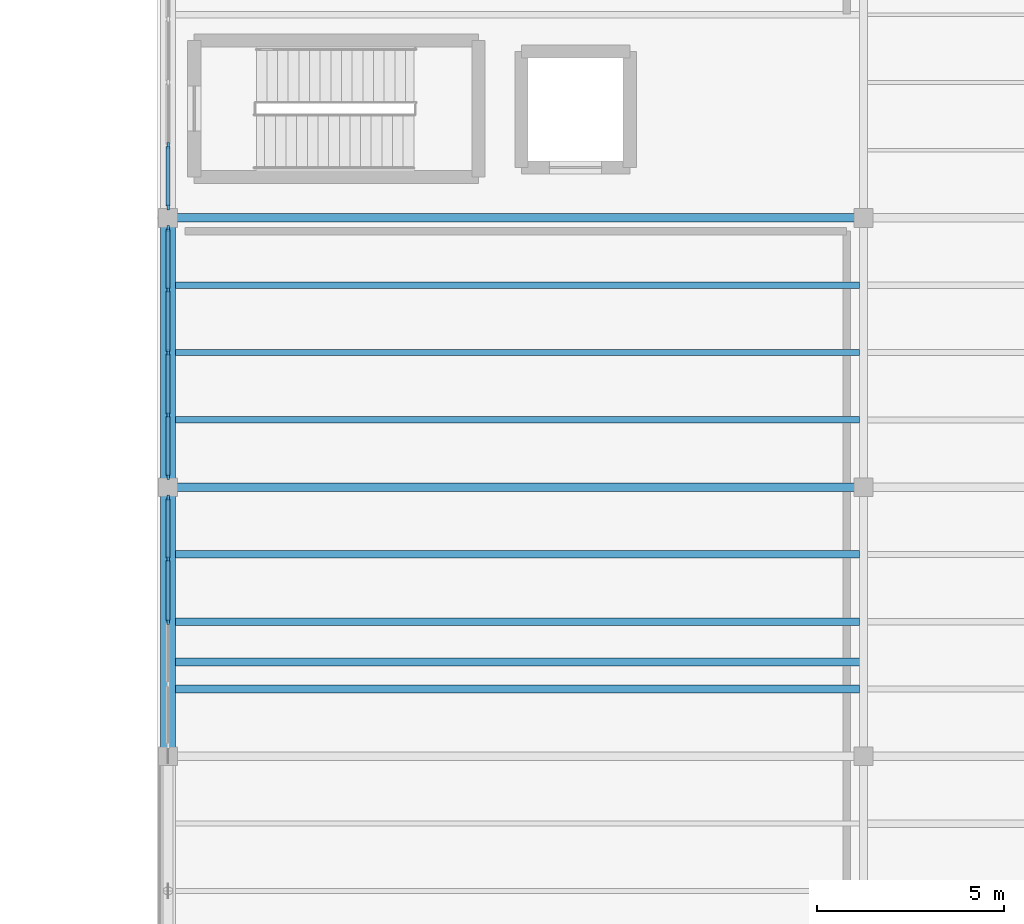
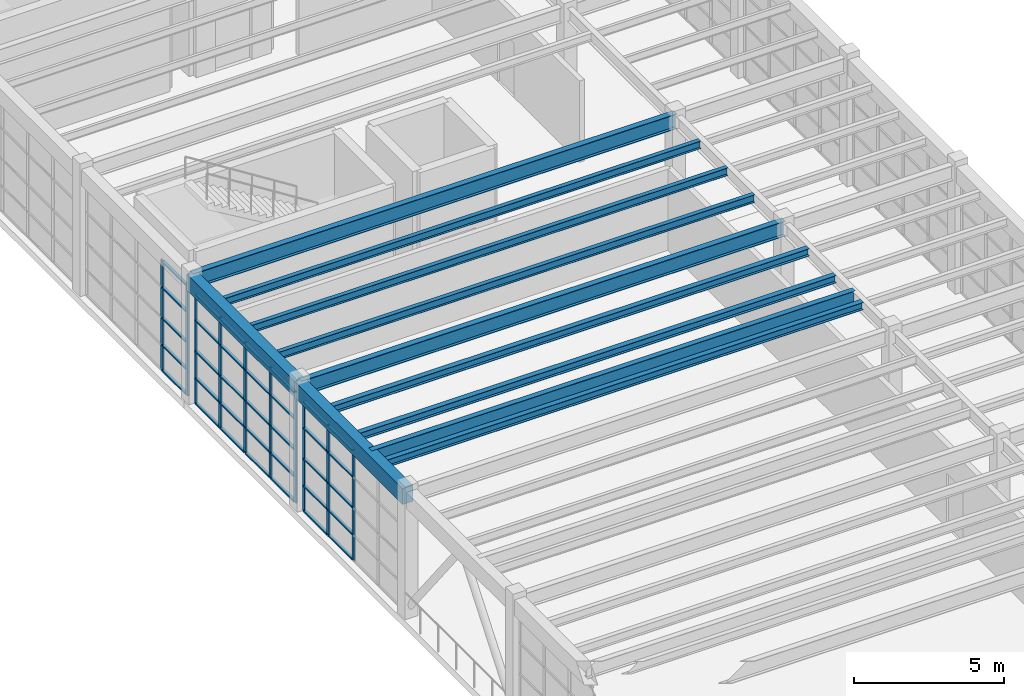
# One storey, part 54 of 103: 45 members, 11 beams, 3 elements without a shape of their own.
"""IFC4 building model written with IfcOpenShell, lengths in metres."""

from ifc_helpers import new_model, si_unit, direction, frame, origin, origin_2d, place, context, subcontext, project, spatial, rectangle, i_section, extrude, material, layer, layer_set, material_profile, profile_set, type_object, element, aggregate, save


model = new_model("IFC4")

# Units and contexts
model_context = context("Model", 3, precision=1e-05, world=origin(), true_north=direction((0.0, 1.0)))
body_context = subcontext(model_context, "Body", "Model", "MODEL_VIEW")
ifc_project = project(units=[si_unit("LENGTHUNIT", "METRE"), si_unit("AREAUNIT", "SQUARE_METRE"), si_unit("VOLUMEUNIT", "CUBIC_METRE"), si_unit("PLANEANGLEUNIT", "RADIAN"), si_unit("MASSUNIT", "GRAM", prefix="KILO")], contexts=[model_context])

# Site, building, storey
site_placement = place(None, origin())
site = spatial("IfcSite", under=ifc_project, at=site_placement, CompositionType="ELEMENT")
building_placement = place(site_placement, origin())
building = spatial("IfcBuilding", under=site, at=building_placement, Name="Candilejo Ridge Gondola Terminal", CompositionType="ELEMENT")
storey_placement = place(building_placement, frame((0.0, 0.0, 9.0)))
storey = spatial("IfcBuildingStorey", under=building, at=storey_placement, Name="L02", CompositionType="ELEMENT", Elevation=9.0)

# Curtain wall, members
ifc_material_1 = material(Name="Anodised aluminium AA 6063-T6", Category="aluminium")
ifc_layer_1 = layer(ifc_material_1, 0.169921875)
ifc_layer_set_1 = layer_set([ifc_layer_1], Name="ARC-CW-TOWER-3000-670X449")
curtain_wall_type_1 = type_object("IfcCurtainWallType", Name="ARC-CW-TOWER-3000-670X449", PredefinedType="NOTDEFINED", material=ifc_layer_set_1)
curtain_wall_1_placement = place(storey_placement, origin())
curtain_wall_1 = element("IfcCurtainWall", 1, at=curtain_wall_1_placement, inside=storey, type_object=curtain_wall_type_1, Name="Curtain wall V5 L02-182", PredefinedType="NOTDEFINED")
ifc_material_2 = material(Name="Anodised aluminium AA 6063-T6", Category="aluminium")
ifc_material_profile_1 = material_profile(ifc_material_2, rectangle(XDim=0.06494140625, YDim=0.14990234375, at=origin_2d()))
ifc_profile_set_1 = profile_set([ifc_material_profile_1], Name="Anodised aluminium AA 6063-T6")
member_type_1 = type_object("IfcMemberType", Name="ARC-CW-MULLION-150", PredefinedType="MULLION", material=ifc_profile_set_1)
member_1_placement = place(storey_placement, frame((150.0, 88.25, 0.0), z_axis=(0.0, 0.0, 1.0), x_axis=(-1.0, 0.0, 0.0)))
member_1 = element("IfcMember", 2, at=member_1_placement, type_object=member_type_1, Name="CW-67X44 mullion 3", PredefinedType="MULLION", context=body_context, shape_type="SweptSolid", body=[
    extrude(rectangle(XDim=0.06494140625, YDim=0.14990234375, at=origin_2d()), origin(), (0.0, 0.0, 1.0), 4.489990234375),
])
member_2_placement = place(storey_placement, frame((150.0, 89.925048828125, 0.0), z_axis=(0.0, 0.0, 1.0), x_axis=(-1.0, 0.0, 0.0)))
member_2 = element("IfcMember", 3, at=member_2_placement, type_object=member_type_1, Name="CW-67X44 mullion 4", PredefinedType="MULLION", context=body_context, shape_type="SweptSolid", body=[
    extrude(rectangle(XDim=0.06494140625, YDim=0.14990234375, at=origin_2d()), origin(), (0.0, 0.0, 1.0), 4.489990234375),
])
member_3_placement = place(storey_placement, frame((150.0, 91.5673828125, 0.0), z_axis=(0.0, 0.0, 1.0), x_axis=(-1.0, 0.0, 0.0)))
member_3 = element("IfcMember", 4, at=member_3_placement, type_object=member_type_1, Name="CW-67X44 mullion 5", PredefinedType="MULLION", context=body_context, shape_type="SweptSolid", body=[
    extrude(rectangle(XDim=0.06494140625, YDim=0.14990234375, at=origin_2d()), origin(), (0.0, 0.0, 1.0), 4.489990234375),
])

curtain_wall_2_placement = place(storey_placement, origin())
curtain_wall_2 = element("IfcCurtainWall", 5, at=curtain_wall_2_placement, inside=storey, type_object=curtain_wall_type_1, Name="Curtain wall V5 L02-184", PredefinedType="NOTDEFINED")
member_4_placement = place(storey_placement, frame((150.0, 92.132568359375, 0.0), z_axis=(0.0, 0.0, 1.0), x_axis=(-1.0, 0.0, 0.0)))
member_4 = element("IfcMember", 6, at=member_4_placement, type_object=member_type_1, Name="CW-67X44 mullion 1", PredefinedType="MULLION", context=body_context, shape_type="SweptSolid", body=[
    extrude(rectangle(XDim=0.06494140625, YDim=0.14990234375, at=origin_2d()), origin(), (0.0, 0.0, 1.0), 4.489990234375),
])
member_5_placement = place(storey_placement, frame((150.0, 93.77490234375, 0.0), z_axis=(0.0, 0.0, 1.0), x_axis=(-1.0, 0.0, 0.0)))
member_5 = element("IfcMember", 7, at=member_5_placement, type_object=member_type_1, Name="CW-67X44 mullion 2", PredefinedType="MULLION", context=body_context, shape_type="SweptSolid", body=[
    extrude(rectangle(XDim=0.06494140625, YDim=0.14990234375, at=origin_2d()), origin(), (0.0, 0.0, 1.0), 4.489990234375),
])
member_6_placement = place(storey_placement, frame((150.0, 95.449951171875, 0.0), z_axis=(0.0, 0.0, 1.0), x_axis=(-1.0, 0.0, 0.0)))
member_6 = element("IfcMember", 8, at=member_6_placement, type_object=member_type_1, Name="CW-67X44 mullion 3", PredefinedType="MULLION", context=body_context, shape_type="SweptSolid", body=[
    extrude(rectangle(XDim=0.06494140625, YDim=0.14990234375, at=origin_2d()), origin(), (0.0, 0.0, 1.0), 4.489990234375),
])
member_7_placement = place(storey_placement, frame((150.0, 97.125, 0.0), z_axis=(0.0, 0.0, 1.0), x_axis=(-1.0, 0.0, 0.0)))
member_7 = element("IfcMember", 9, at=member_7_placement, type_object=member_type_1, Name="CW-67X44 mullion 4", PredefinedType="MULLION", context=body_context, shape_type="SweptSolid", body=[
    extrude(rectangle(XDim=0.06494140625, YDim=0.14990234375, at=origin_2d()), origin(), (0.0, 0.0, 1.0), 4.489990234375),
])
member_8_placement = place(storey_placement, frame((150.0, 98.767578125, 0.0), z_axis=(0.0, 0.0, 1.0), x_axis=(-1.0, 0.0, 0.0)))
member_8 = element("IfcMember", 10, at=member_8_placement, type_object=member_type_1, Name="CW-67X44 mullion 5", PredefinedType="MULLION", context=body_context, shape_type="SweptSolid", body=[
    extrude(rectangle(XDim=0.06494140625, YDim=0.14990234375, at=origin_2d()), origin(), (0.0, 0.0, 1.0), 4.489990234375),
])

ifc_material_3 = material(Name="Anodised aluminium AA 6063-T6", Category="aluminium")
ifc_layer_2 = layer(ifc_material_3, 0.169921875)
ifc_layer_set_2 = layer_set([ifc_layer_2], Name="ARC-CW-TOWER-3000-675X449")
curtain_wall_type_2 = type_object("IfcCurtainWallType", Name="ARC-CW-TOWER-3000-675X449", PredefinedType="NOTDEFINED", material=ifc_layer_set_2)
curtain_wall_3_placement = place(storey_placement, origin())
curtain_wall_3 = element("IfcCurtainWall", 11, at=curtain_wall_3_placement, inside=storey, type_object=curtain_wall_type_2, Name="Curtain wall V5 L02-186", PredefinedType="NOTDEFINED")
member_9_placement = place(storey_placement, frame((150.0, 99.33251953125, 0.0), z_axis=(0.0, 0.0, 1.0), x_axis=(-1.0, 0.0, 0.0)))
member_9 = element("IfcMember", 12, at=member_9_placement, type_object=member_type_1, Name="CW-67X44 mullion 1", PredefinedType="MULLION", context=body_context, shape_type="SweptSolid", body=[
    extrude(rectangle(XDim=0.06494140625, YDim=0.14990234375, at=origin_2d()), origin(), (0.0, 0.0, 1.0), 4.489990234375),
])
member_10_placement = place(storey_placement, frame((150.0, 100.987548828125, 0.0), z_axis=(0.0, 0.0, 1.0), x_axis=(-1.0, 0.0, 0.0)))
member_10 = element("IfcMember", 13, at=member_10_placement, type_object=member_type_1, Name="CW-67X44 mullion 2", PredefinedType="MULLION", context=body_context, shape_type="SweptSolid", body=[
    extrude(rectangle(XDim=0.06494140625, YDim=0.14990234375, at=origin_2d()), origin(), (0.0, 0.0, 1.0), 4.489990234375),
])

# Member
ifc_material_4 = material(Name="Anodised aluminium AA 6063-T6", Category="aluminium")
ifc_material_profile_2 = material_profile(ifc_material_4, rectangle(XDim=0.110107421875, YDim=0.06005859375, at=origin_2d()))
ifc_profile_set_2 = profile_set([ifc_material_profile_2], Name="Anodised aluminium AA 6063-T6")
member_type_2 = type_object("IfcMemberType", Name="ARC-CW-TRANSOM-110", PredefinedType="USERDEFINED", material=ifc_profile_set_2)
member_11_placement = place(storey_placement, frame((150.0, 88.282470703125, 0.030029296875), z_axis=(0.0, 1.0, 0.0), x_axis=(-1.0, 0.0, 0.0)))
member_11 = element("IfcMember", 14, at=member_11_placement, type_object=member_type_2, Name="CW-67X44 transom 3.1", ObjectType="TRANSOM", PredefinedType="USERDEFINED", context=body_context, shape_type="SweptSolid", body=[
    extrude(rectangle(XDim=0.110107421875, YDim=0.06005859375, at=origin_2d()), origin(), (0.0, 0.0, 1.0), 1.610107421875),
])

member_12_placement = place(storey_placement, frame((150.0, 88.282470703125, 1.050048828125), z_axis=(0.0, 1.0, 0.0), x_axis=(-1.0, 0.0, 0.0)))
member_12 = element("IfcMember", 15, at=member_12_placement, type_object=member_type_2, Name="CW-67X44 transom 3.2", ObjectType="TRANSOM", PredefinedType="USERDEFINED", context=body_context, shape_type="SweptSolid", body=[
    extrude(rectangle(XDim=0.110107421875, YDim=0.06005859375, at=origin_2d()), origin(), (0.0, 0.0, 1.0), 1.610107421875),
])

member_13_placement = place(storey_placement, frame((150.0, 88.282470703125, 2.14990234375), z_axis=(0.0, 1.0, 0.0), x_axis=(-1.0, 0.0, 0.0)))
member_13 = element("IfcMember", 16, at=member_13_placement, type_object=member_type_2, Name="CW-67X44 transom 3.3", ObjectType="TRANSOM", PredefinedType="USERDEFINED", context=body_context, shape_type="SweptSolid", body=[
    extrude(rectangle(XDim=0.110107421875, YDim=0.06005859375, at=origin_2d()), origin(), (0.0, 0.0, 1.0), 1.610107421875),
])

member_14_placement = place(storey_placement, frame((150.0, 88.282470703125, 3.39990234375), z_axis=(0.0, 1.0, 0.0), x_axis=(-1.0, 0.0, 0.0)))
member_14 = element("IfcMember", 17, at=member_14_placement, type_object=member_type_2, Name="CW-67X44 transom 3.4", ObjectType="TRANSOM", PredefinedType="USERDEFINED", context=body_context, shape_type="SweptSolid", body=[
    extrude(rectangle(XDim=0.110107421875, YDim=0.06005859375, at=origin_2d()), origin(), (0.0, 0.0, 1.0), 1.610107421875),
])

member_15_placement = place(storey_placement, frame((150.0, 88.282470703125, 4.4599609375), z_axis=(0.0, 1.0, 0.0), x_axis=(-1.0, 0.0, 0.0)))
member_15 = element("IfcMember", 18, at=member_15_placement, type_object=member_type_2, Name="CW-67X44 transom 3.5", ObjectType="TRANSOM", PredefinedType="USERDEFINED", context=body_context, shape_type="SweptSolid", body=[
    extrude(rectangle(XDim=0.110107421875, YDim=0.06005859375, at=origin_2d()), origin(), (0.0, 0.0, 1.0), 1.610107421875),
])

member_16_placement = place(storey_placement, frame((150.0, 89.95751953125, 0.030029296875), z_axis=(0.0, 1.0, 0.0), x_axis=(-1.0, 0.0, 0.0)))
member_16 = element("IfcMember", 19, at=member_16_placement, type_object=member_type_2, Name="CW-67X44 transom 4.1", ObjectType="TRANSOM", PredefinedType="USERDEFINED", context=body_context, shape_type="SweptSolid", body=[
    extrude(rectangle(XDim=0.110107421875, YDim=0.06005859375, at=origin_2d()), origin(), (0.0, 0.0, 1.0), 1.577392578125),
])

member_17_placement = place(storey_placement, frame((150.0, 89.95751953125, 1.050048828125), z_axis=(0.0, 1.0, 0.0), x_axis=(-1.0, 0.0, 0.0)))
member_17 = element("IfcMember", 20, at=member_17_placement, type_object=member_type_2, Name="CW-67X44 transom 4.2", ObjectType="TRANSOM", PredefinedType="USERDEFINED", context=body_context, shape_type="SweptSolid", body=[
    extrude(rectangle(XDim=0.110107421875, YDim=0.06005859375, at=origin_2d()), origin(), (0.0, 0.0, 1.0), 1.577392578125),
])

member_18_placement = place(storey_placement, frame((150.0, 89.95751953125, 2.14990234375), z_axis=(0.0, 1.0, 0.0), x_axis=(-1.0, 0.0, 0.0)))
member_18 = element("IfcMember", 21, at=member_18_placement, type_object=member_type_2, Name="CW-67X44 transom 4.3", ObjectType="TRANSOM", PredefinedType="USERDEFINED", context=body_context, shape_type="SweptSolid", body=[
    extrude(rectangle(XDim=0.110107421875, YDim=0.06005859375, at=origin_2d()), origin(), (0.0, 0.0, 1.0), 1.577392578125),
])

member_19_placement = place(storey_placement, frame((150.0, 89.95751953125, 3.39990234375), z_axis=(0.0, 1.0, 0.0), x_axis=(-1.0, 0.0, 0.0)))
member_19 = element("IfcMember", 22, at=member_19_placement, type_object=member_type_2, Name="CW-67X44 transom 4.4", ObjectType="TRANSOM", PredefinedType="USERDEFINED", context=body_context, shape_type="SweptSolid", body=[
    extrude(rectangle(XDim=0.110107421875, YDim=0.06005859375, at=origin_2d()), origin(), (0.0, 0.0, 1.0), 1.577392578125),
])

member_20_placement = place(storey_placement, frame((150.0, 89.95751953125, 4.4599609375), z_axis=(0.0, 1.0, 0.0), x_axis=(-1.0, 0.0, 0.0)))
member_20 = element("IfcMember", 23, at=member_20_placement, type_object=member_type_2, Name="CW-67X44 transom 4.5", ObjectType="TRANSOM", PredefinedType="USERDEFINED", context=body_context, shape_type="SweptSolid", body=[
    extrude(rectangle(XDim=0.110107421875, YDim=0.06005859375, at=origin_2d()), origin(), (0.0, 0.0, 1.0), 1.577392578125),
])

aggregate(curtain_wall_1, [member_1, member_2, member_3, member_11, member_12, member_13, member_14, member_15, member_16, member_17, member_18, member_19, member_20])

member_21_placement = place(storey_placement, frame((150.0, 92.1650390625, 0.030029296875), z_axis=(0.0, 1.0, 0.0), x_axis=(-1.0, 0.0, 0.0)))
member_21 = element("IfcMember", 24, at=member_21_placement, type_object=member_type_2, Name="CW-67X44 transom 1.1", ObjectType="TRANSOM", PredefinedType="USERDEFINED", context=body_context, shape_type="SweptSolid", body=[
    extrude(rectangle(XDim=0.110107421875, YDim=0.06005859375, at=origin_2d()), origin(), (0.0, 0.0, 1.0), 1.577392578125),
])

member_22_placement = place(storey_placement, frame((150.0, 92.1650390625, 1.050048828125), z_axis=(0.0, 1.0, 0.0), x_axis=(-1.0, 0.0, 0.0)))
member_22 = element("IfcMember", 25, at=member_22_placement, type_object=member_type_2, Name="CW-67X44 transom 1.2", ObjectType="TRANSOM", PredefinedType="USERDEFINED", context=body_context, shape_type="SweptSolid", body=[
    extrude(rectangle(XDim=0.110107421875, YDim=0.06005859375, at=origin_2d()), origin(), (0.0, 0.0, 1.0), 1.577392578125),
])

member_23_placement = place(storey_placement, frame((150.0, 92.1650390625, 2.14990234375), z_axis=(0.0, 1.0, 0.0), x_axis=(-1.0, 0.0, 0.0)))
member_23 = element("IfcMember", 26, at=member_23_placement, type_object=member_type_2, Name="CW-67X44 transom 1.3", ObjectType="TRANSOM", PredefinedType="USERDEFINED", context=body_context, shape_type="SweptSolid", body=[
    extrude(rectangle(XDim=0.110107421875, YDim=0.06005859375, at=origin_2d()), origin(), (0.0, 0.0, 1.0), 1.577392578125),
])

member_24_placement = place(storey_placement, frame((150.0, 92.1650390625, 3.39990234375), z_axis=(0.0, 1.0, 0.0), x_axis=(-1.0, 0.0, 0.0)))
member_24 = element("IfcMember", 27, at=member_24_placement, type_object=member_type_2, Name="CW-67X44 transom 1.4", ObjectType="TRANSOM", PredefinedType="USERDEFINED", context=body_context, shape_type="SweptSolid", body=[
    extrude(rectangle(XDim=0.110107421875, YDim=0.06005859375, at=origin_2d()), origin(), (0.0, 0.0, 1.0), 1.577392578125),
])

member_25_placement = place(storey_placement, frame((150.0, 92.1650390625, 4.4599609375), z_axis=(0.0, 1.0, 0.0), x_axis=(-1.0, 0.0, 0.0)))
member_25 = element("IfcMember", 28, at=member_25_placement, type_object=member_type_2, Name="CW-67X44 transom 1.5", ObjectType="TRANSOM", PredefinedType="USERDEFINED", context=body_context, shape_type="SweptSolid", body=[
    extrude(rectangle(XDim=0.110107421875, YDim=0.06005859375, at=origin_2d()), origin(), (0.0, 0.0, 1.0), 1.577392578125),
])

member_26_placement = place(storey_placement, frame((150.0, 93.8076171875, 0.030029296875), z_axis=(0.0, 1.0, 0.0), x_axis=(-1.0, 0.0, 0.0)))
member_26 = element("IfcMember", 29, at=member_26_placement, type_object=member_type_2, Name="CW-67X44 transom 2.1", ObjectType="TRANSOM", PredefinedType="USERDEFINED", context=body_context, shape_type="SweptSolid", body=[
    extrude(rectangle(XDim=0.110107421875, YDim=0.06005859375, at=origin_2d()), origin(), (0.0, 0.0, 1.0), 1.60986328125),
])

member_27_placement = place(storey_placement, frame((150.0, 93.8076171875, 1.050048828125), z_axis=(0.0, 1.0, 0.0), x_axis=(-1.0, 0.0, 0.0)))
member_27 = element("IfcMember", 30, at=member_27_placement, type_object=member_type_2, Name="CW-67X44 transom 2.2", ObjectType="TRANSOM", PredefinedType="USERDEFINED", context=body_context, shape_type="SweptSolid", body=[
    extrude(rectangle(XDim=0.110107421875, YDim=0.06005859375, at=origin_2d()), origin(), (0.0, 0.0, 1.0), 1.60986328125),
])

member_28_placement = place(storey_placement, frame((150.0, 93.8076171875, 2.14990234375), z_axis=(0.0, 1.0, 0.0), x_axis=(-1.0, 0.0, 0.0)))
member_28 = element("IfcMember", 31, at=member_28_placement, type_object=member_type_2, Name="CW-67X44 transom 2.3", ObjectType="TRANSOM", PredefinedType="USERDEFINED", context=body_context, shape_type="SweptSolid", body=[
    extrude(rectangle(XDim=0.110107421875, YDim=0.06005859375, at=origin_2d()), origin(), (0.0, 0.0, 1.0), 1.60986328125),
])

member_29_placement = place(storey_placement, frame((150.0, 93.8076171875, 3.39990234375), z_axis=(0.0, 1.0, 0.0), x_axis=(-1.0, 0.0, 0.0)))
member_29 = element("IfcMember", 32, at=member_29_placement, type_object=member_type_2, Name="CW-67X44 transom 2.4", ObjectType="TRANSOM", PredefinedType="USERDEFINED", context=body_context, shape_type="SweptSolid", body=[
    extrude(rectangle(XDim=0.110107421875, YDim=0.06005859375, at=origin_2d()), origin(), (0.0, 0.0, 1.0), 1.60986328125),
])

member_30_placement = place(storey_placement, frame((150.0, 93.8076171875, 4.4599609375), z_axis=(0.0, 1.0, 0.0), x_axis=(-1.0, 0.0, 0.0)))
member_30 = element("IfcMember", 33, at=member_30_placement, type_object=member_type_2, Name="CW-67X44 transom 2.5", ObjectType="TRANSOM", PredefinedType="USERDEFINED", context=body_context, shape_type="SweptSolid", body=[
    extrude(rectangle(XDim=0.110107421875, YDim=0.06005859375, at=origin_2d()), origin(), (0.0, 0.0, 1.0), 1.60986328125),
])

member_31_placement = place(storey_placement, frame((150.0, 95.482421875, 0.030029296875), z_axis=(0.0, 1.0, 0.0), x_axis=(-1.0, 0.0, 0.0)))
member_31 = element("IfcMember", 34, at=member_31_placement, type_object=member_type_2, Name="CW-67X44 transom 3.1", ObjectType="TRANSOM", PredefinedType="USERDEFINED", context=body_context, shape_type="SweptSolid", body=[
    extrude(rectangle(XDim=0.110107421875, YDim=0.06005859375, at=origin_2d()), origin(), (0.0, 0.0, 1.0), 1.610107421875),
])

member_32_placement = place(storey_placement, frame((150.0, 95.482421875, 1.050048828125), z_axis=(0.0, 1.0, 0.0), x_axis=(-1.0, 0.0, 0.0)))
member_32 = element("IfcMember", 35, at=member_32_placement, type_object=member_type_2, Name="CW-67X44 transom 3.2", ObjectType="TRANSOM", PredefinedType="USERDEFINED", context=body_context, shape_type="SweptSolid", body=[
    extrude(rectangle(XDim=0.110107421875, YDim=0.06005859375, at=origin_2d()), origin(), (0.0, 0.0, 1.0), 1.610107421875),
])

member_33_placement = place(storey_placement, frame((150.0, 95.482421875, 2.14990234375), z_axis=(0.0, 1.0, 0.0), x_axis=(-1.0, 0.0, 0.0)))
member_33 = element("IfcMember", 36, at=member_33_placement, type_object=member_type_2, Name="CW-67X44 transom 3.3", ObjectType="TRANSOM", PredefinedType="USERDEFINED", context=body_context, shape_type="SweptSolid", body=[
    extrude(rectangle(XDim=0.110107421875, YDim=0.06005859375, at=origin_2d()), origin(), (0.0, 0.0, 1.0), 1.610107421875),
])

member_34_placement = place(storey_placement, frame((150.0, 95.482421875, 3.39990234375), z_axis=(0.0, 1.0, 0.0), x_axis=(-1.0, 0.0, 0.0)))
member_34 = element("IfcMember", 37, at=member_34_placement, type_object=member_type_2, Name="CW-67X44 transom 3.4", ObjectType="TRANSOM", PredefinedType="USERDEFINED", context=body_context, shape_type="SweptSolid", body=[
    extrude(rectangle(XDim=0.110107421875, YDim=0.06005859375, at=origin_2d()), origin(), (0.0, 0.0, 1.0), 1.610107421875),
])

member_35_placement = place(storey_placement, frame((150.0, 95.482421875, 4.4599609375), z_axis=(0.0, 1.0, 0.0), x_axis=(-1.0, 0.0, 0.0)))
member_35 = element("IfcMember", 38, at=member_35_placement, type_object=member_type_2, Name="CW-67X44 transom 3.5", ObjectType="TRANSOM", PredefinedType="USERDEFINED", context=body_context, shape_type="SweptSolid", body=[
    extrude(rectangle(XDim=0.110107421875, YDim=0.06005859375, at=origin_2d()), origin(), (0.0, 0.0, 1.0), 1.610107421875),
])

member_36_placement = place(storey_placement, frame((150.0, 97.157470703125, 0.030029296875), z_axis=(0.0, 1.0, 0.0), x_axis=(-1.0, 0.0, 0.0)))
member_36 = element("IfcMember", 39, at=member_36_placement, type_object=member_type_2, Name="CW-67X44 transom 4.1", ObjectType="TRANSOM", PredefinedType="USERDEFINED", context=body_context, shape_type="SweptSolid", body=[
    extrude(rectangle(XDim=0.110107421875, YDim=0.06005859375, at=origin_2d()), origin(), (0.0, 0.0, 1.0), 1.57763671875),
])

member_37_placement = place(storey_placement, frame((150.0, 97.157470703125, 1.050048828125), z_axis=(0.0, 1.0, 0.0), x_axis=(-1.0, 0.0, 0.0)))
member_37 = element("IfcMember", 40, at=member_37_placement, type_object=member_type_2, Name="CW-67X44 transom 4.2", ObjectType="TRANSOM", PredefinedType="USERDEFINED", context=body_context, shape_type="SweptSolid", body=[
    extrude(rectangle(XDim=0.110107421875, YDim=0.06005859375, at=origin_2d()), origin(), (0.0, 0.0, 1.0), 1.57763671875),
])

member_38_placement = place(storey_placement, frame((150.0, 97.157470703125, 2.14990234375), z_axis=(0.0, 1.0, 0.0), x_axis=(-1.0, 0.0, 0.0)))
member_38 = element("IfcMember", 41, at=member_38_placement, type_object=member_type_2, Name="CW-67X44 transom 4.3", ObjectType="TRANSOM", PredefinedType="USERDEFINED", context=body_context, shape_type="SweptSolid", body=[
    extrude(rectangle(XDim=0.110107421875, YDim=0.06005859375, at=origin_2d()), origin(), (0.0, 0.0, 1.0), 1.57763671875),
])

member_39_placement = place(storey_placement, frame((150.0, 97.157470703125, 3.39990234375), z_axis=(0.0, 1.0, 0.0), x_axis=(-1.0, 0.0, 0.0)))
member_39 = element("IfcMember", 42, at=member_39_placement, type_object=member_type_2, Name="CW-67X44 transom 4.4", ObjectType="TRANSOM", PredefinedType="USERDEFINED", context=body_context, shape_type="SweptSolid", body=[
    extrude(rectangle(XDim=0.110107421875, YDim=0.06005859375, at=origin_2d()), origin(), (0.0, 0.0, 1.0), 1.57763671875),
])

member_40_placement = place(storey_placement, frame((150.0, 97.157470703125, 4.4599609375), z_axis=(0.0, 1.0, 0.0), x_axis=(-1.0, 0.0, 0.0)))
member_40 = element("IfcMember", 43, at=member_40_placement, type_object=member_type_2, Name="CW-67X44 transom 4.5", ObjectType="TRANSOM", PredefinedType="USERDEFINED", context=body_context, shape_type="SweptSolid", body=[
    extrude(rectangle(XDim=0.110107421875, YDim=0.06005859375, at=origin_2d()), origin(), (0.0, 0.0, 1.0), 1.57763671875),
])

aggregate(curtain_wall_2, [member_4, member_5, member_6, member_7, member_8, member_21, member_22, member_23, member_24, member_25, member_26, member_27, member_28, member_29, member_30, member_31, member_32, member_33, member_34, member_35, member_36, member_37, member_38, member_39, member_40])

member_41_placement = place(storey_placement, frame((150.0, 99.364990234375, 0.030029296875), z_axis=(0.0, 1.0, 0.0), x_axis=(-1.0, 0.0, 0.0)))
member_41 = element("IfcMember", 44, at=member_41_placement, type_object=member_type_2, Name="CW-67X44 transom 1.1", ObjectType="TRANSOM", PredefinedType="USERDEFINED", context=body_context, shape_type="SweptSolid", body=[
    extrude(rectangle(XDim=0.110107421875, YDim=0.06005859375, at=origin_2d()), origin(), (0.0, 0.0, 1.0), 1.590087890625),
])

member_42_placement = place(storey_placement, frame((150.0, 99.364990234375, 1.050048828125), z_axis=(0.0, 1.0, 0.0), x_axis=(-1.0, 0.0, 0.0)))
member_42 = element("IfcMember", 45, at=member_42_placement, type_object=member_type_2, Name="CW-67X44 transom 1.2", ObjectType="TRANSOM", PredefinedType="USERDEFINED", context=body_context, shape_type="SweptSolid", body=[
    extrude(rectangle(XDim=0.110107421875, YDim=0.06005859375, at=origin_2d()), origin(), (0.0, 0.0, 1.0), 1.590087890625),
])

member_43_placement = place(storey_placement, frame((150.0, 99.364990234375, 2.14990234375), z_axis=(0.0, 1.0, 0.0), x_axis=(-1.0, 0.0, 0.0)))
member_43 = element("IfcMember", 46, at=member_43_placement, type_object=member_type_2, Name="CW-67X44 transom 1.3", ObjectType="TRANSOM", PredefinedType="USERDEFINED", context=body_context, shape_type="SweptSolid", body=[
    extrude(rectangle(XDim=0.110107421875, YDim=0.06005859375, at=origin_2d()), origin(), (0.0, 0.0, 1.0), 1.590087890625),
])

member_44_placement = place(storey_placement, frame((150.0, 99.364990234375, 3.39990234375), z_axis=(0.0, 1.0, 0.0), x_axis=(-1.0, 0.0, 0.0)))
member_44 = element("IfcMember", 47, at=member_44_placement, type_object=member_type_2, Name="CW-67X44 transom 1.4", ObjectType="TRANSOM", PredefinedType="USERDEFINED", context=body_context, shape_type="SweptSolid", body=[
    extrude(rectangle(XDim=0.110107421875, YDim=0.06005859375, at=origin_2d()), origin(), (0.0, 0.0, 1.0), 1.590087890625),
])

member_45_placement = place(storey_placement, frame((150.0, 99.364990234375, 4.4599609375), z_axis=(0.0, 1.0, 0.0), x_axis=(-1.0, 0.0, 0.0)))
member_45 = element("IfcMember", 48, at=member_45_placement, type_object=member_type_2, Name="CW-67X44 transom 1.5", ObjectType="TRANSOM", PredefinedType="USERDEFINED", context=body_context, shape_type="SweptSolid", body=[
    extrude(rectangle(XDim=0.110107421875, YDim=0.06005859375, at=origin_2d()), origin(), (0.0, 0.0, 1.0), 1.590087890625),
])

aggregate(curtain_wall_3, [member_9, member_10, member_41, member_42, member_43, member_44, member_45])

# Beams
ifc_material_5 = material(Name="Steel ASTM A992 Grade 50", Category="steel")
ifc_material_profile_3 = material_profile(ifc_material_5, i_section(OverallWidth=0.208984375, OverallDepth=0.532958984375, WebThickness=0.01025390625, FlangeThickness=0.015625, at=origin_2d()))
ifc_profile_set_3 = profile_set([ifc_material_profile_3], Name="Steel ASTM A992 Grade 50")
beam_type_1 = type_object("IfcBeamType", Name="STR-BM-W530X92", PredefinedType="BEAM", material=ifc_profile_set_3)
beam_1_placement = place(storey_placement, frame((150.0, 87.169921875, 4.8935546875), z_axis=(1.0, 0.0, 0.0), x_axis=(0.0, 1.0, 0.0)))
element("IfcBeam", 49, at=beam_1_placement, inside=storey, type_object=beam_type_1, Name="Cabin storage runway girder 06", PredefinedType="BEAM", context=body_context, shape_type="SweptSolid", body=[
    extrude(i_section(OverallWidth=0.208984375, OverallDepth=0.532958984375, WebThickness=0.01025390625, FlangeThickness=0.015625, at=origin_2d()), origin(), (0.0, 0.0, 1.0), 18.60009765625),
])
ifc_material_6 = material(Name="Steel ASTM A992 Grade 50", Category="steel")
ifc_material_profile_4 = material_profile(ifc_material_6, i_section(OverallWidth=0.22900390625, OverallDepth=0.612060546875, WebThickness=0.011962890625, FlangeThickness=0.01953125, at=origin_2d()))
ifc_profile_set_4 = profile_set([ifc_material_profile_4], Name="Steel ASTM A992 Grade 50")
beam_type_2 = type_object("IfcBeamType", Name="STR-BM-W610X125", PredefinedType="BEAM", material=ifc_profile_set_4)
for number, where, z_axis, x_axis, name in (
    (50, (150.0, 91.85009765625, 4.85400390625), (1.0, 0.0, 0.0), (0.0, 1.0, 0.0), "Beam X V5 L02 X23-X25@Y16"),
    (51, (150.0, 99.050048828125, 4.85400390625), (1.0, 0.0, 0.0), (0.0, 1.0, 0.0), "Beam X V5 L02 X23-X25@Y17"),
):
    element("IfcBeam", number, at=place(storey_placement, frame(where, z_axis=z_axis, x_axis=x_axis)), inside=storey, type_object=beam_type_2, Name=name, PredefinedType="BEAM", context=body_context, shape_type="SweptSolid", body=[
        extrude(i_section(OverallWidth=0.22900390625, OverallDepth=0.612060546875, WebThickness=0.011962890625, FlangeThickness=0.01953125, at=origin_2d()), origin(), (0.0, 0.0, 1.0), 18.60009765625),
    ])
ifc_material_7 = material(Name="Steel ASTM A992 Grade 50", Category="steel")
ifc_material_profile_5 = material_profile(ifc_material_7, i_section(OverallWidth=0.166015625, OverallDepth=0.31298828125, WebThickness=0.006591796875, FlangeThickness=0.01123046875, at=origin_2d()))
ifc_profile_set_5 = profile_set([ifc_material_profile_5], Name="Steel ASTM A992 Grade 50")
beam_type_3 = type_object("IfcBeamType", Name="STR-JST-W310X44", PredefinedType="JOIST", material=ifc_profile_set_5)
for number, where, z_axis, x_axis, name in (
    (52, (150.199951171875, 93.64990234375, 5.00341796875), (1.0, 0.0, 0.0), (0.0, 1.0, 0.0), "Composite joist V5 L02-1315"),
    (53, (150.199951171875, 95.449951171875, 5.00341796875), (1.0, 0.0, 0.0), (0.0, 1.0, 0.0), "Composite joist V5 L02-1316"),
    (54, (150.199951171875, 97.25, 5.00341796875), (1.0, 0.0, 0.0), (0.0, 1.0, 0.0), "Composite joist V5 L02-1317"),
):
    element("IfcBeam", number, at=place(storey_placement, frame(where, z_axis=z_axis, x_axis=x_axis)), inside=storey, type_object=beam_type_3, Name=name, PredefinedType="JOIST", context=body_context, shape_type="SweptSolid", body=[
        extrude(i_section(OverallWidth=0.166015625, OverallDepth=0.31298828125, WebThickness=0.006591796875, FlangeThickness=0.01123046875, at=origin_2d()), origin(), (0.0, 0.0, 1.0), 18.295654296875),
    ])
ifc_material_8 = material(Name="Steel ASTM A992 Grade 50", Category="steel")
ifc_material_profile_6 = material_profile(ifc_material_8, i_section(OverallWidth=0.202880859375, OverallDepth=0.302978515625, WebThickness=0.007568359375, FlangeThickness=0.01318359375, at=origin_2d()))
ifc_profile_set_6 = profile_set([ifc_material_profile_6], Name="Steel ASTM A992 Grade 50")
beam_type_4 = type_object("IfcBeamType", Name="STR-JST-W310X60", PredefinedType="JOIST", material=ifc_profile_set_6)
for number, where, z_axis, x_axis, name in (
    (55, (150.199951171875, 86.449951171875, 5.008544921875), (1.0, 0.0, 0.0), (0.0, 1.0, 0.0), "Composite joist V5 L02-1312"),
    (56, (150.199951171875, 88.25, 5.008544921875), (1.0, 0.0, 0.0), (0.0, 1.0, 0.0), "Composite joist V5 L02-1313"),
    (57, (150.199951171875, 90.050048828125, 5.008544921875), (1.0, 0.0, 0.0), (0.0, 1.0, 0.0), "Composite joist V5 L02-1314"),
):
    element("IfcBeam", number, at=place(storey_placement, frame(where, z_axis=z_axis, x_axis=x_axis)), inside=storey, type_object=beam_type_4, Name=name, PredefinedType="JOIST", context=body_context, shape_type="SweptSolid", body=[
        extrude(i_section(OverallWidth=0.202880859375, OverallDepth=0.302978515625, WebThickness=0.007568359375, FlangeThickness=0.01318359375, at=origin_2d()), origin(), (0.0, 0.0, 1.0), 18.295654296875),
    ])
ifc_material_9 = material(Name="Concrete f'c 35 MPa (C35/45)", Category="concrete")
ifc_material_profile_7 = material_profile(ifc_material_9, rectangle(XDim=0.39990234375, YDim=0.64990234375, at=origin_2d()))
ifc_profile_set_7 = profile_set([ifc_material_profile_7], Name="Concrete f'c 35 MPa (C35/45)")
beam_type_5 = type_object("IfcBeamType", Name="STR-SPN-RC400X650", PredefinedType="SPANDREL", material=ifc_profile_set_7)
beam_2_placement = place(storey_placement, frame((150.0, 84.64990234375, 4.8349609375), z_axis=(0.0, 1.0, 0.0), x_axis=(-1.0, 0.0, 0.0)))
element("IfcBeam", 58, at=beam_2_placement, inside=storey, type_object=beam_type_5, Name="Beam Y V5 L02 Y15-Y16@X23", PredefinedType="SPANDREL", context=body_context, shape_type="SweptSolid", body=[
    extrude(rectangle(XDim=0.39990234375, YDim=0.64990234375, at=origin_2d()), origin(), (0.0, 0.0, 1.0), 7.2001953125),
])
beam_3_placement = place(storey_placement, frame((150.0, 91.85009765625, 4.8349609375), z_axis=(0.0, 1.0, 0.0), x_axis=(-1.0, 0.0, 0.0)))
element("IfcBeam", 59, at=beam_3_placement, inside=storey, type_object=beam_type_5, Name="Beam Y V5 L02 Y16-Y17@X23", PredefinedType="SPANDREL", context=body_context, shape_type="SweptSolid", body=[
    extrude(rectangle(XDim=0.39990234375, YDim=0.64990234375, at=origin_2d()), origin(), (0.0, 0.0, 1.0), 7.199951171875),
])

save(model, "model.ifc")
